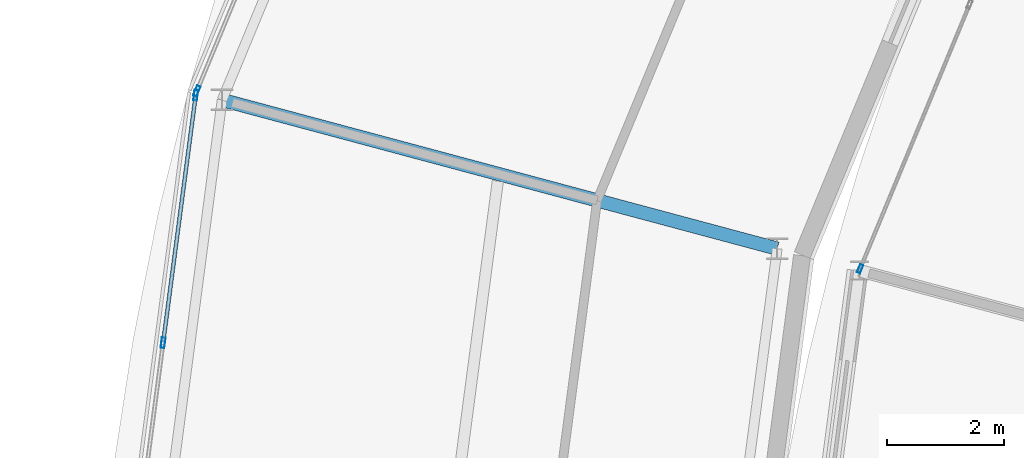
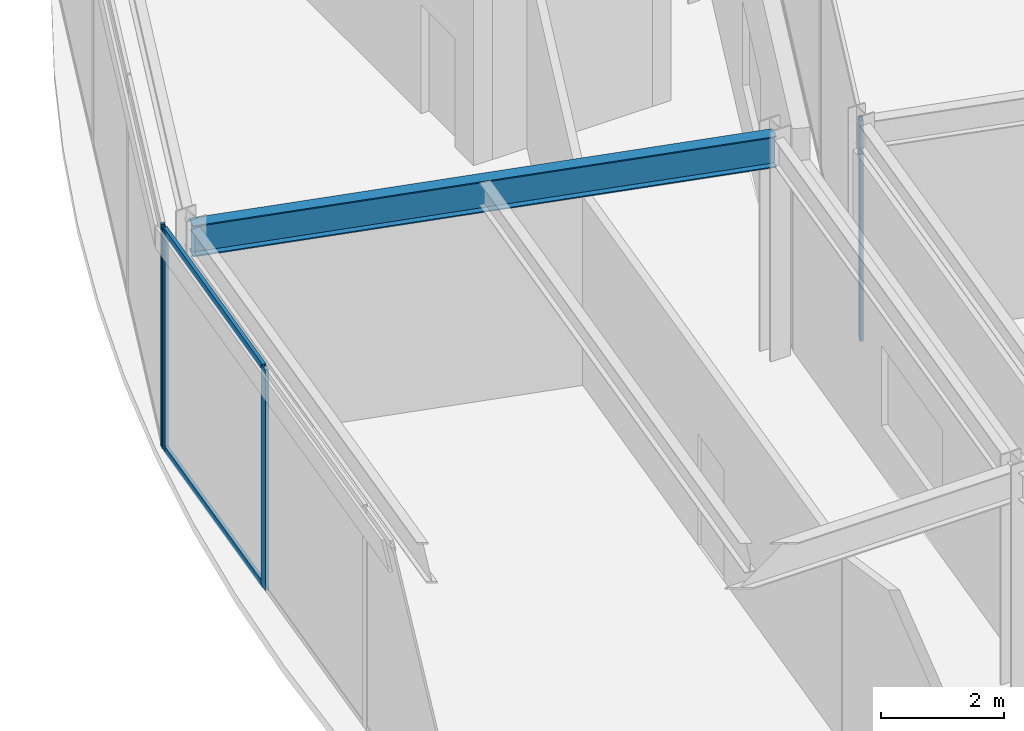
# One storey, part 39 of 157: 6 members, 1 beam, 3 elements without a shape of their own.
"""IFC4 building model written with IfcOpenShell, lengths in metres."""

from ifc_helpers import new_model, si_unit, direction, frame, origin, origin_2d, place, context, subcontext, project, spatial, hollow_rectangle, i_section, extrude, material, material_profile, profile_set, type_object, element, aggregate, save


model = new_model("IFC4")

# Units and contexts
model_context = context("Model", 3, precision=1e-05, world=origin(), true_north=direction((0.0, 1.0)))
body_context = subcontext(model_context, "Body", "Model", "MODEL_VIEW")
ifc_project = project(units=[si_unit("LENGTHUNIT", "METRE"), si_unit("AREAUNIT", "SQUARE_METRE"), si_unit("VOLUMEUNIT", "CUBIC_METRE"), si_unit("PLANEANGLEUNIT", "RADIAN"), si_unit("MASSUNIT", "GRAM", prefix="KILO")], contexts=[model_context])

# Site, building, storey
site_placement = place(None, origin())
site = spatial("IfcSite", under=ifc_project, at=site_placement, CompositionType="ELEMENT")
building_placement = place(site_placement, origin())
building = spatial("IfcBuilding", under=site, at=building_placement, Name="Almandine Court Research Institute", CompositionType="ELEMENT")
storey_placement = place(building_placement, frame((0.0, 0.0, 5.25)))
storey = spatial("IfcBuildingStorey", under=building, at=storey_placement, Name="L01", CompositionType="ELEMENT", Elevation=5.25)

# Beam
ifc_material_1 = material(Name="Steel ASTM A992 Grade 50", Category="steel")
ifc_material_profile_1 = material_profile(ifc_material_1, i_section(OverallWidth=0.22998046875, OverallDepth=0.616943359375, WebThickness=0.012939453125, FlangeThickness=0.02197265625, at=origin_2d()), Name="W610x140")
ifc_profile_set_1 = profile_set([ifc_material_profile_1], Name="Steel ASTM A992 Grade 50")
beam_type = type_object("IfcBeamType", Name="Beam-G-02", PredefinedType="BEAM", material=ifc_profile_set_1)
beam_placement = place(storey_placement, frame((49.23193359375, 66.1201171875, 4.06103515625), z_axis=(-0.965937821551, 0.258774274024, 0.0), x_axis=(-0.258774274024, -0.965937821551, 0.0)))
element("IfcBeam", 1, at=beam_placement, inside=storey, type_object=beam_type, Name="L01 Drum Radial Girder 11", PredefinedType="BEAM", context=body_context, shape_type="SweptSolid", body=[
    extrude(i_section(OverallWidth=0.22998046875, OverallDepth=0.616943359375, WebThickness=0.012939453125, FlangeThickness=0.02197265625, at=origin_2d()), origin(), (0.0, 0.0, 1.0), 9.799560546875),
])

# Curtain wall, member
ifc_material_2 = material(Name="Unitised Curtain Wall Framing and Solar Glazing", Category="glass")
curtain_wall_type_1 = type_object("IfcCurtainWallType", Name="CW-CWG-24", PredefinedType="USERDEFINED", material=ifc_material_2)
curtain_wall_1_placement = place(storey_placement, origin())
curtain_wall_1 = element("IfcCurtainWall", 2, at=curtain_wall_1_placement, inside=storey, type_object=curtain_wall_type_1, Name="L01 Interaction Atrium Perimeter Curtain Wall 10", ObjectType="UNITISED GLAZING", PredefinedType="USERDEFINED")
ifc_material_3 = material(Name="Anodised Aluminium AW-6063-T6", Category="aluminium")
ifc_material_profile_2 = material_profile(ifc_material_3, hollow_rectangle(XDim=0.06005859375, YDim=0.14990234375, WallThickness=0.00390625, at=origin_2d()), Name="ALU RHS 60x150x4")
ifc_profile_set_2 = profile_set([ifc_material_profile_2], Name="Anodised Aluminium AW-6063-T6")
member_type_1 = type_object("IfcMemberType", Name="CWMul-60x150", PredefinedType="MULLION", material=ifc_profile_set_2)
member_1_placement = place(storey_placement, frame((50.6455078125, 65.775634765625, 0.0), z_axis=(0.0, 0.0, 1.0), x_axis=(-0.923900189297, 0.382633558665, 0.0)))
member_1 = element("IfcMember", 3, at=member_1_placement, type_object=member_type_1, Name="CWG-24 mullion 1", PredefinedType="MULLION", context=body_context, shape_type="SweptSolid", body=[
    extrude(hollow_rectangle(XDim=0.06005859375, YDim=0.14990234375, WallThickness=0.00390625, at=origin_2d()), origin(), (0.0, 0.0, 1.0), 4.3701171875),
])
aggregate(curtain_wall_1, [member_1])

curtain_wall_type_2 = type_object("IfcCurtainWallType", Name="CW-CWJ-19", PredefinedType="USERDEFINED", material=ifc_material_2)
curtain_wall_2_placement = place(storey_placement, origin())
curtain_wall_2 = element("IfcCurtainWall", 4, at=curtain_wall_2_placement, inside=storey, type_object=curtain_wall_type_2, Name="L01 Stacked-Ring Drum Outer Solar Jali Screen 10", ObjectType="SOLAR JALI SCREEN", PredefinedType="USERDEFINED")
ifc_material_profile_3 = material_profile(ifc_material_3, hollow_rectangle(XDim=0.06494140625, YDim=0.179931640625, WallThickness=0.00390625, at=origin_2d()), Name="ALU RHS 65x180x4")
ifc_profile_set_3 = profile_set([ifc_material_profile_3], Name="Anodised Aluminium AW-6063-T6")
member_type_2 = type_object("IfcMemberType", Name="CWMul-65x180", PredefinedType="MULLION", material=ifc_profile_set_3)
member_2_placement = place(storey_placement, frame((39.33544921875, 68.80908203125, 0.0), z_axis=(0.0, 0.0, 1.0), x_axis=(-0.923888124321, 0.382662689242, 0.0)))
member_2 = element("IfcMember", 5, at=member_2_placement, type_object=member_type_2, Name="CWJ-19 mullion 1", PredefinedType="MULLION", context=body_context, shape_type="SweptSolid", body=[
    extrude(hollow_rectangle(XDim=0.06494140625, YDim=0.179931640625, WallThickness=0.00390625, at=origin_2d()), origin(), (0.0, 0.0, 1.0), 4.3701171875),
])
aggregate(curtain_wall_2, [member_2])

# Curtain wall, members
curtain_wall_3_placement = place(storey_placement, origin())
curtain_wall_3 = element("IfcCurtainWall", 6, at=curtain_wall_3_placement, inside=storey, type_object=curtain_wall_type_2, Name="L01 Stacked-Ring Drum Outer Solar Jali Screen 11", ObjectType="SOLAR JALI SCREEN", PredefinedType="USERDEFINED")
member_3_placement = place(storey_placement, frame((38.7607421875, 64.515380859375, 0.0), z_axis=(0.0, 0.0, 1.0), x_axis=(-0.991442926098, 0.130540891259, 0.0)))
member_3 = element("IfcMember", 7, at=member_3_placement, type_object=member_type_2, Name="CWJ-19 mullion 3", PredefinedType="MULLION", context=body_context, shape_type="SweptSolid", body=[
    extrude(hollow_rectangle(XDim=0.06494140625, YDim=0.179931640625, WallThickness=0.00390625, at=origin_2d()), origin(), (0.0, 0.0, 1.0), 4.3701171875),
])
member_4_placement = place(storey_placement, frame((39.316650390625, 68.73876953125, 0.0), z_axis=(0.0, 0.0, 1.0), x_axis=(-0.991442926098, 0.130540891259, 0.0)))
member_4 = element("IfcMember", 8, at=member_4_placement, type_object=member_type_2, Name="CWJ-19 mullion 4", PredefinedType="MULLION", context=body_context, shape_type="SweptSolid", body=[
    extrude(hollow_rectangle(XDim=0.06494140625, YDim=0.179931640625, WallThickness=0.00390625, at=origin_2d()), origin(), (0.0, 0.0, 1.0), 4.3701171875),
])
ifc_material_profile_4 = material_profile(ifc_material_3, hollow_rectangle(XDim=0.06494140625, YDim=0.1298828125, WallThickness=0.00390625, at=origin_2d()), Name="ALU RHS 65x130x4")
ifc_profile_set_4 = profile_set([ifc_material_profile_4], Name="Anodised Aluminium AW-6063-T6")
member_type_3 = type_object("IfcMemberType", Name="CWTrn-65x130", PredefinedType="NOTDEFINED", material=ifc_profile_set_4)
member_5_placement = place(storey_placement, frame((38.764892578125, 64.547607421875, 0.032470703125), z_axis=(0.130543337873, 0.991442603955, 0.0), x_axis=(-0.991442603955, 0.130543337873, 0.0)))
member_5 = element("IfcMember", 9, at=member_5_placement, type_object=member_type_3, Name="CWJ-19 transom 3.1", ObjectType="TRANSOM", PredefinedType="USERDEFINED", context=body_context, shape_type="SweptSolid", body=[
    extrude(hollow_rectangle(XDim=0.06494140625, YDim=0.1298828125, WallThickness=0.00390625, at=origin_2d()), origin(), (0.0, 0.0, 1.0), 4.19482421875),
])
member_6_placement = place(storey_placement, frame((38.764892578125, 64.547607421875, 4.33740234375), z_axis=(0.130543337873, 0.991442603955, 0.0), x_axis=(-0.991442603955, 0.130543337873, 0.0)))
member_6 = element("IfcMember", 10, at=member_6_placement, type_object=member_type_3, Name="CWJ-19 transom 3.2", ObjectType="TRANSOM", PredefinedType="USERDEFINED", context=body_context, shape_type="SweptSolid", body=[
    extrude(hollow_rectangle(XDim=0.06494140625, YDim=0.1298828125, WallThickness=0.00390625, at=origin_2d()), origin(), (0.0, 0.0, 1.0), 4.19482421875),
])
aggregate(curtain_wall_3, [member_3, member_4, member_5, member_6])

save(model, "model.ifc")
